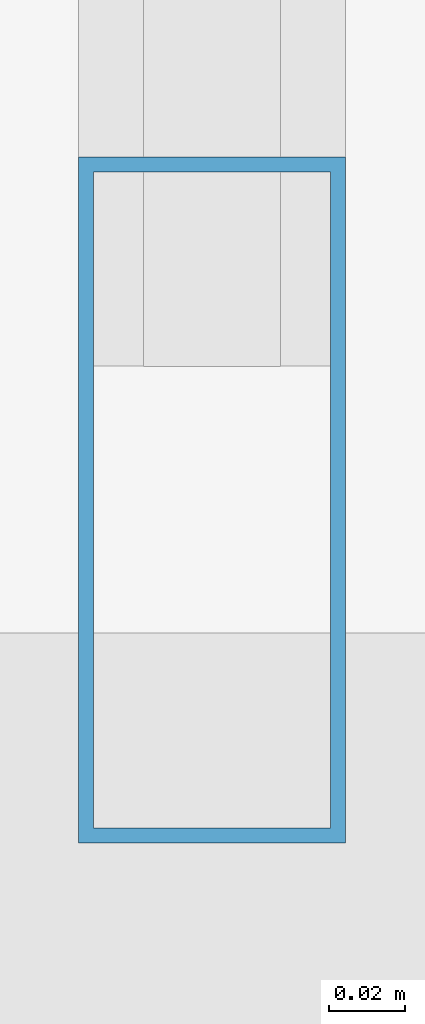
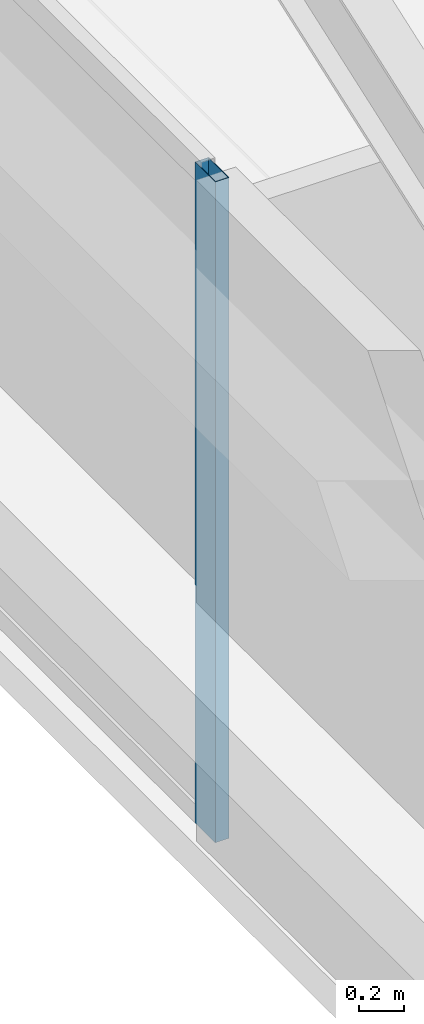
# One storey, part 9 of 44: 1 member, 1 element without a shape of its own.
"""IFC4 building model written with IfcOpenShell, lengths in metres."""

from ifc_helpers import new_model, si_unit, direction, frame, origin, origin_2d, place, context, subcontext, project, spatial, hollow_rectangle, extrude, material, material_profile, profile_set, type_object, element, aggregate, save


model = new_model("IFC4")

# Units and contexts
model_context = context("Model", 3, precision=1e-05, world=origin(), true_north=direction((0.0, 1.0)))
body_context = subcontext(model_context, "Body", "Model", "MODEL_VIEW")
ifc_project = project(units=[si_unit("LENGTHUNIT", "METRE"), si_unit("AREAUNIT", "SQUARE_METRE"), si_unit("VOLUMEUNIT", "CUBIC_METRE"), si_unit("PLANEANGLEUNIT", "RADIAN"), si_unit("MASSUNIT", "GRAM", prefix="KILO")], contexts=[model_context])

# Site, building, storey
site_placement = place(None, origin())
site = spatial("IfcSite", under=ifc_project, at=site_placement, CompositionType="ELEMENT")
building_placement = place(site_placement, origin())
building = spatial("IfcBuilding", under=site, at=building_placement, Name="Tashvorn Skyway Center", CompositionType="ELEMENT")
storey_placement = place(building_placement, frame((0.0, 0.0, 181.85009765625)))
storey = spatial("IfcBuildingStorey", under=building, at=storey_placement, Name="L49", CompositionType="ELEMENT", Elevation=181.85009765625)

# Curtain wall, member
ifc_material = material(Name="Thermally broken bronze-anodized aluminium 6063-T6", Category="aluminium")
curtain_wall_type = type_object("IfcCurtainWallType", Name="CW-CW-Z4", PredefinedType="NOTDEFINED", material=ifc_material)
curtain_wall_placement = place(storey_placement, origin())
curtain_wall = element("IfcCurtainWall", 1, at=curtain_wall_placement, inside=storey, type_object=curtain_wall_type, Name="Tower 1 L49 West Unitised Curtain Wall Glazing Group 3", PredefinedType="NOTDEFINED")
ifc_material_profile = material_profile(ifc_material, hollow_rectangle(XDim=0.070068359375, YDim=0.179931640625, WallThickness=0.00390625, at=origin_2d()), Name="ALU-MULL-70x180")
ifc_profile_set = profile_set([ifc_material_profile], Name="Thermally broken bronze-anodized aluminium 6063-T6")
member_type = type_object("IfcMemberType", Name="CWM-CW-Z4", PredefinedType="MULLION", material=ifc_profile_set)
member_placement = place(storey_placement, frame((24.320068359375, 40.579345703125, 0.0), z_axis=(0.0, 0.0, 1.0), x_axis=(-1.0, 0.0, 0.0)))
member = element("IfcMember", 2, at=member_placement, type_object=member_type, Name="CW-Z4 mullion 1", PredefinedType="MULLION", context=body_context, shape_type="SweptSolid", body=[
    extrude(hollow_rectangle(XDim=0.070068359375, YDim=0.179931640625, WallThickness=0.00390625, at=origin_2d()), origin(), (0.0, 0.0, 1.0), 3.5498046875),
])
aggregate(curtain_wall, [member])

save(model, "model.ifc")
